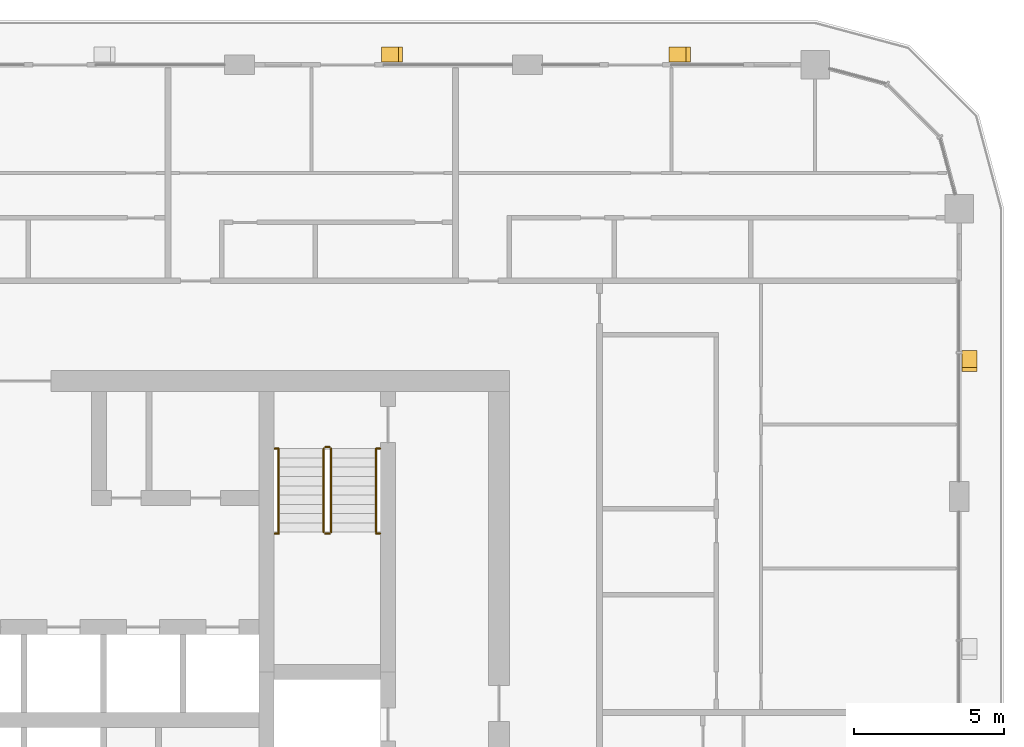
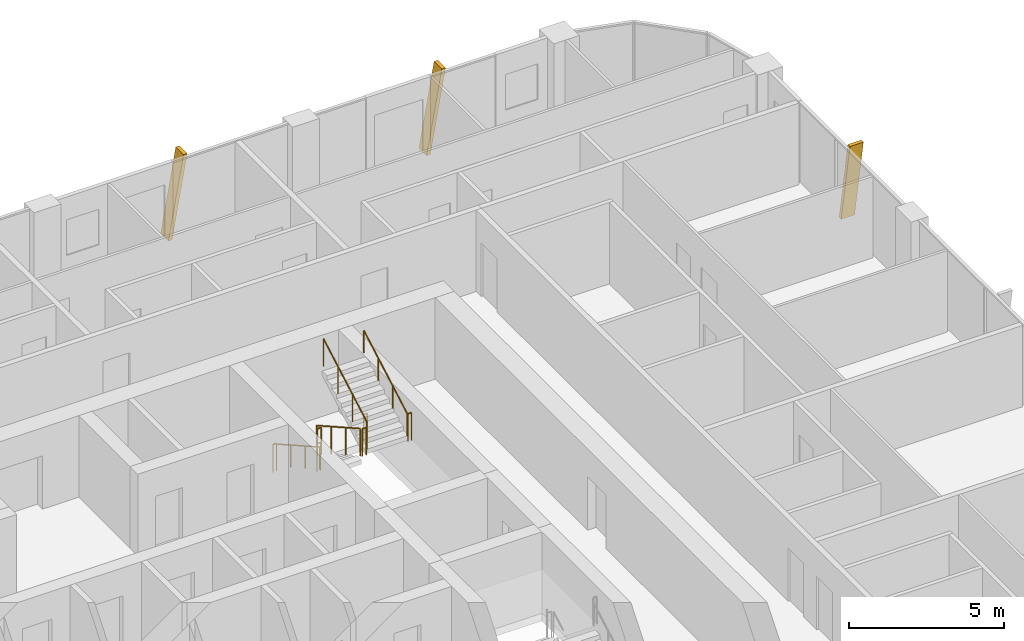
# One storey, part 22 of 22: 10 railings, 3 shading devices.
"""IFC4 building model written with IfcOpenShell, lengths in metres."""

from ifc_helpers import new_model, si_unit, direction, frame, origin, origin_2d, place, context, subcontext, project, spatial, polyline, circle, outline, extrude, material, type_object, element, save


model = new_model("IFC4")

# Units and contexts
model_context = context("Model", 3, precision=1e-05, world=origin(), true_north=direction((0.0, 1.0)))
body_context = subcontext(model_context, "Body", "Model", "MODEL_VIEW")
ifc_project = project(units=[si_unit("LENGTHUNIT", "METRE"), si_unit("AREAUNIT", "SQUARE_METRE"), si_unit("VOLUMEUNIT", "CUBIC_METRE"), si_unit("PLANEANGLEUNIT", "RADIAN"), si_unit("MASSUNIT", "GRAM", prefix="KILO")], contexts=[model_context])

# Site, building, storey
site_placement = place(None, origin())
site = spatial("IfcSite", under=ifc_project, at=site_placement, CompositionType="ELEMENT")
building_placement = place(site_placement, origin())
building = spatial("IfcBuilding", under=site, at=building_placement, Name="Madar Terraces", CompositionType="ELEMENT")
storey_placement = place(building_placement, frame((0.0, 0.0, 189.39990234375)))
storey = spatial("IfcBuildingStorey", under=building, at=storey_placement, Name="L49", CompositionType="ELEMENT", Elevation=189.39990234375)

# Shading devices
ifc_material_1 = material(Name="Aluminium, black anodised", Category="aluminium")
shading_device_type = type_object("IfcShadingDeviceType", Name="Facade fin blade 140 x 500", PredefinedType="USERDEFINED", material=ifc_material_1)
shading_device_placement = place(storey_placement, frame((62.75, 38.330078125, 0.0), z_axis=(0.0, 0.0, 1.0), x_axis=(0.0, 1.0, 0.0)))
element("IfcShadingDevice", 1, at=shading_device_placement, inside=storey, type_object=shading_device_type, Name="FIN L49 E4", ObjectType="FIN", PredefinedType="USERDEFINED", context=body_context, shape_type="SweptSolid", body=[
    extrude(outline(polyline([(0.0, 0.0), (0.139892578125, 0.0), (-0.42431640625, 3.2001953125), (-0.564208984375, 3.2001953125), (0.0, 0.0)])), frame((0.0, 0.25, 0.0), z_axis=(0.0, -1.0, 0.0), x_axis=(1.0, 0.0, 0.0)), (0.0, 0.0, 1.0), 0.5),
])
for number, where, z_axis, x_axis, name in (
    (2, (52.8701171875, 48.35009765625, 0.0), (0.0, 0.0, 1.0), (-1.0, 0.0, 0.0), "FIN L49 N1"),
    (3, (43.27001953125, 48.35009765625, 0.0), (0.0, 0.0, 1.0), (-1.0, 0.0, 0.0), "FIN L49 N2"),
):
    element("IfcShadingDevice", number, at=place(storey_placement, frame(where, z_axis=z_axis, x_axis=x_axis)), inside=storey, type_object=shading_device_type, Name=name, ObjectType="FIN", PredefinedType="USERDEFINED", context=body_context, shape_type="SweptSolid", body=[
        extrude(outline(polyline([(0.0, 0.0), (0.14013671875, 0.0), (-0.42431640625, 3.2001953125), (-0.564208984375, 3.2001953125), (0.0, 0.0)])), frame((0.0, 0.25, 0.0), z_axis=(0.0, -1.0, 0.0), x_axis=(1.0, 0.0, 0.0)), (0.0, 0.0, 1.0), 0.5),
    ])

# Railings
ifc_material_2 = material(Name="Stainless steel railing", Category="steel")
railing_type_1 = type_object("IfcRailingType", Name="Stair guard 1100", PredefinedType="GUARDRAIL", material=ifc_material_2)
railing_1_placement = place(storey_placement, frame((41.199951171875, 35.199951171875, 0.175048828125)))
element("IfcRailing", 4, at=railing_1_placement, inside=storey, type_object=railing_type_1, Name="L49 ST2 stair guard 1", PredefinedType="GUARDRAIL", context=body_context, shape_type="SweptSolid", body=[
    extrude(circle(Radius=0.02392578125, at=origin_2d()), frame((0.0, 0.0, 1.076171875), z_axis=(0.0, -0.870833779661, 0.491577591232), x_axis=(1.0, 0.0, 0.0)), (0.0, 0.0, 1.0), 3.203857421875),
    extrude(circle(Radius=0.02099609375, at=origin_2d()), origin(), (0.0, 0.0, 1.0), 1.052001953125),
    extrude(circle(Radius=0.02099609375, at=origin_2d()), frame((0.0, -0.929931640625, 0.52490234375)), (0.0, 0.0, 1.0), 1.052001953125),
    extrude(circle(Radius=0.02099609375, at=origin_2d()), frame((0.0, -1.860107421875, 1.050048828125)), (0.0, 0.0, 1.0), 1.052001953125),
    extrude(circle(Radius=0.02099609375, at=origin_2d()), frame((0.0, -2.7900390625, 1.574951171875)), (0.0, 0.0, 1.0), 1.052001953125),
])
railing_2_placement = place(storey_placement, frame((41.25, 32.360107421875, 1.75)))
element("IfcRailing", 5, at=railing_2_placement, inside=storey, type_object=railing_type_1, Name="L49 ST2 stair guard 2", PredefinedType="GUARDRAIL", context=body_context, shape_type="SweptSolid", body=[
    extrude(circle(Radius=0.02392578125, at=origin_2d()), frame((0.0, 0.0, 1.076171875), z_axis=(1.0, 0.0, 0.0), x_axis=(0.0, 1.0, 0.0)), (0.0, 0.0, 1.0), 0.14990234375),
    extrude(circle(Radius=0.02099609375, at=origin_2d()), origin(), (0.0, 0.0, 1.0), 1.052001953125),
    extrude(circle(Radius=0.02099609375, at=origin_2d()), frame((0.14990234375, 0.0, 0.0)), (0.0, 0.0, 1.0), 1.052001953125),
])
railing_3_placement = place(storey_placement, frame((41.449951171875, 32.409912109375, 1.925048828125)))
element("IfcRailing", 6, at=railing_3_placement, inside=storey, type_object=railing_type_1, Name="L49 ST2 stair guard 3", PredefinedType="GUARDRAIL", context=body_context, shape_type="SweptSolid", body=[
    extrude(circle(Radius=0.02392578125, at=origin_2d()), frame((0.0, 0.0, 1.076171875), z_axis=(0.0, 0.870833779661, 0.491577591232), x_axis=(-1.0, 0.0, 0.0)), (0.0, 0.0, 1.0), 3.203857421875),
    extrude(circle(Radius=0.02099609375, at=origin_2d()), origin(), (0.0, 0.0, 1.0), 1.052001953125),
    extrude(circle(Radius=0.02099609375, at=origin_2d()), frame((0.0, 0.929931640625, 0.52490234375)), (0.0, 0.0, 1.0), 1.052001953125),
    extrude(circle(Radius=0.02099609375, at=origin_2d()), frame((0.0, 1.860107421875, 1.050048828125)), (0.0, 0.0, 1.0), 1.052001953125),
    extrude(circle(Radius=0.02099609375, at=origin_2d()), frame((0.0, 2.7900390625, 1.574951171875)), (0.0, 0.0, 1.0), 1.052001953125),
])
railing_4_placement = place(storey_placement, frame((41.25, 35.25, 0.0)))
element("IfcRailing", 7, at=railing_4_placement, inside=storey, type_object=railing_type_1, Name="L49 ST2 stair guard 4", PredefinedType="GUARDRAIL", context=body_context, shape_type="SweptSolid", body=[
    extrude(circle(Radius=0.02392578125, at=origin_2d()), frame((0.0, 0.0, 1.076171875), z_axis=(1.0, 0.0, 0.0), x_axis=(0.0, 1.0, 0.0)), (0.0, 0.0, 1.0), 0.14990234375),
    extrude(circle(Radius=0.02099609375, at=origin_2d()), origin(), (0.0, 0.0, 1.0), 1.052001953125),
    extrude(circle(Radius=0.02099609375, at=origin_2d()), frame((0.14990234375, 0.0, 0.0)), (0.0, 0.0, 1.0), 1.052001953125),
])
railing_5_placement = place(storey_placement, frame((39.570068359375, 32.360107421875, 1.75)))
element("IfcRailing", 8, at=railing_5_placement, inside=storey, type_object=railing_type_1, Name="L49 stair guard seat 1", PredefinedType="GUARDRAIL", context=body_context, shape_type="SweptSolid", body=[
    extrude(circle(Radius=0.02392578125, at=origin_2d()), frame((0.0, 0.0, 1.076171875), z_axis=(1.0, 0.0, 0.0), x_axis=(0.0, 1.0, 0.0)), (0.0, 0.0, 1.0), 0.1298828125),
    extrude(circle(Radius=0.02099609375, at=origin_2d()), origin(), (0.0, 0.0, 1.0), 1.052001953125),
    extrude(circle(Radius=0.02099609375, at=origin_2d()), frame((0.1298828125, 0.0, 0.0)), (0.0, 0.0, 1.0), 1.052001953125),
])
railing_6_placement = place(storey_placement, frame((42.949951171875, 32.360107421875, 1.75)))
element("IfcRailing", 9, at=railing_6_placement, inside=storey, type_object=railing_type_1, Name="L49 stair guard seat 2", PredefinedType="GUARDRAIL", context=body_context, shape_type="SweptSolid", body=[
    extrude(circle(Radius=0.02392578125, at=origin_2d()), frame((0.0, 0.0, 1.076171875), z_axis=(1.0, 0.0, 0.0), x_axis=(0.0, 1.0, 0.0)), (0.0, 0.0, 1.0), 0.130126953125),
    extrude(circle(Radius=0.02099609375, at=origin_2d()), origin(), (0.0, 0.0, 1.0), 1.052001953125),
    extrude(circle(Radius=0.02099609375, at=origin_2d()), frame((0.130126953125, 0.0, 0.0)), (0.0, 0.0, 1.0), 1.052001953125),
])
railing_7_placement = place(storey_placement, frame((39.570068359375, 35.199951171875, 0.0)))
element("IfcRailing", 10, at=railing_7_placement, inside=storey, type_object=railing_type_1, Name="L49 stair guard floor 1", PredefinedType="GUARDRAIL", context=body_context, shape_type="SweptSolid", body=[
    extrude(circle(Radius=0.02392578125, at=origin_2d()), frame((0.0, 0.0, 1.076171875), z_axis=(1.0, 0.0, 0.0), x_axis=(0.0, 1.0, 0.0)), (0.0, 0.0, 1.0), 0.1298828125),
    extrude(circle(Radius=0.02099609375, at=origin_2d()), origin(), (0.0, 0.0, 1.0), 1.052001953125),
    extrude(circle(Radius=0.02099609375, at=origin_2d()), frame((0.1298828125, 0.0, 0.0)), (0.0, 0.0, 1.0), 1.052001953125),
])
railing_8_placement = place(storey_placement, frame((42.949951171875, 35.199951171875, 0.0)))
element("IfcRailing", 11, at=railing_8_placement, inside=storey, type_object=railing_type_1, Name="L49 stair guard floor 2", PredefinedType="GUARDRAIL", context=body_context, shape_type="SweptSolid", body=[
    extrude(circle(Radius=0.02392578125, at=origin_2d()), frame((0.0, 0.0, 1.076171875), z_axis=(1.0, 0.0, 0.0), x_axis=(0.0, 1.0, 0.0)), (0.0, 0.0, 1.0), 0.130126953125),
    extrude(circle(Radius=0.02099609375, at=origin_2d()), origin(), (0.0, 0.0, 1.0), 1.052001953125),
    extrude(circle(Radius=0.02099609375, at=origin_2d()), frame((0.130126953125, 0.0, 0.0)), (0.0, 0.0, 1.0), 1.052001953125),
])
ifc_material_3 = material(Name="Stainless steel railing", Category="steel")
railing_type_2 = type_object("IfcRailingType", Name="Stair handrail 900", PredefinedType="HANDRAIL", material=ifc_material_3)
railing_9_placement = place(storey_placement, frame((39.699951171875, 35.199951171875, 0.175048828125)))
element("IfcRailing", 12, at=railing_9_placement, inside=storey, type_object=railing_type_2, Name="L49 ST2 stair handrail 1", PredefinedType="HANDRAIL", context=body_context, shape_type="SweptSolid", body=[
    extrude(circle(Radius=0.02392578125, at=origin_2d()), frame((0.0, 0.0, 0.8759765625), z_axis=(0.0, -0.870833779661, 0.491577591232), x_axis=(1.0, 0.0, 0.0)), (0.0, 0.0, 1.0), 3.203857421875),
    extrude(circle(Radius=0.02099609375, at=origin_2d()), origin(), (0.0, 0.0, 1.0), 0.851806640625),
    extrude(circle(Radius=0.02099609375, at=origin_2d()), frame((0.0, -0.929931640625, 0.52490234375)), (0.0, 0.0, 1.0), 0.851806640625),
    extrude(circle(Radius=0.02099609375, at=origin_2d()), frame((0.0, -1.860107421875, 1.050048828125)), (0.0, 0.0, 1.0), 0.851806640625),
    extrude(circle(Radius=0.02099609375, at=origin_2d()), frame((0.0, -2.7900390625, 1.574951171875)), (0.0, 0.0, 1.0), 0.851806640625),
])
railing_10_placement = place(storey_placement, frame((42.949951171875, 32.409912109375, 1.925048828125)))
element("IfcRailing", 13, at=railing_10_placement, inside=storey, type_object=railing_type_2, Name="L49 ST2 stair handrail 2", PredefinedType="HANDRAIL", context=body_context, shape_type="SweptSolid", body=[
    extrude(circle(Radius=0.02392578125, at=origin_2d()), frame((0.0, 0.0, 0.8759765625), z_axis=(0.0, 0.870833779661, 0.491577591232), x_axis=(-1.0, 0.0, 0.0)), (0.0, 0.0, 1.0), 3.203857421875),
    extrude(circle(Radius=0.02099609375, at=origin_2d()), origin(), (0.0, 0.0, 1.0), 0.851806640625),
    extrude(circle(Radius=0.02099609375, at=origin_2d()), frame((0.0, 0.929931640625, 0.52490234375)), (0.0, 0.0, 1.0), 0.851806640625),
    extrude(circle(Radius=0.02099609375, at=origin_2d()), frame((0.0, 1.860107421875, 1.050048828125)), (0.0, 0.0, 1.0), 0.851806640625),
    extrude(circle(Radius=0.02099609375, at=origin_2d()), frame((0.0, 2.7900390625, 1.574951171875)), (0.0, 0.0, 1.0), 0.851806640625),
])

save(model, "model.ifc")
